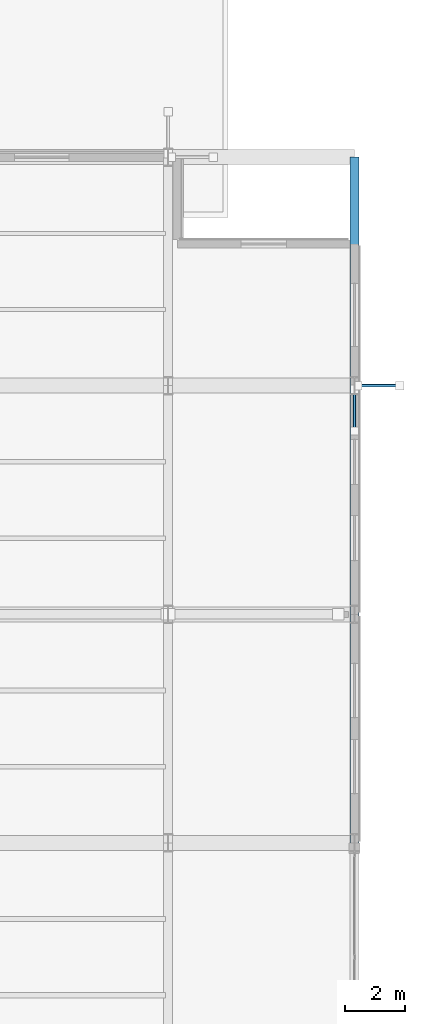
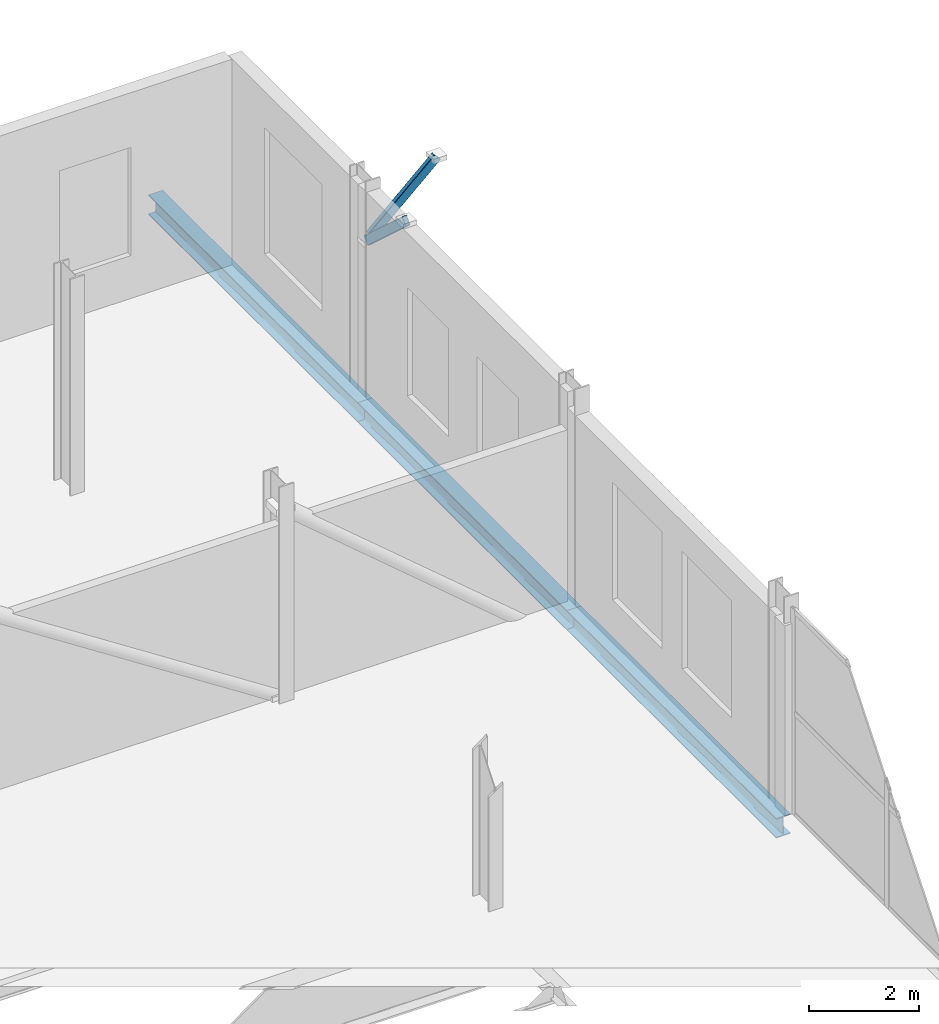
# One storey, part 77 of 120: 3 beams, 2 members.
"""IFC4 building model written with IfcOpenShell, lengths in metres."""

from ifc_helpers import new_model, si_unit, direction, frame, origin, origin_2d, place, context, subcontext, project, spatial, hollow_rectangle, i_section, extrude, material, material_profile, profile_set, type_object, element, save


model = new_model("IFC4")

# Units and contexts
model_context = context("Model", 3, precision=1e-05, world=origin(), true_north=direction((0.0, 1.0)))
body_context = subcontext(model_context, "Body", "Model", "MODEL_VIEW")
ifc_project = project(units=[si_unit("LENGTHUNIT", "METRE"), si_unit("AREAUNIT", "SQUARE_METRE"), si_unit("VOLUMEUNIT", "CUBIC_METRE"), si_unit("PLANEANGLEUNIT", "RADIAN"), si_unit("MASSUNIT", "GRAM", prefix="KILO")], contexts=[model_context])

# Site, building, storey
site_placement = place(None, origin())
site = spatial("IfcSite", under=ifc_project, at=site_placement, CompositionType="ELEMENT")
building_placement = place(site_placement, origin())
building = spatial("IfcBuilding", under=site, at=building_placement, Name="Vekula Escarpment Museum", CompositionType="ELEMENT")
storey_placement = place(building_placement, frame((0.0, 0.0, 13.199951171875)))
storey = spatial("IfcBuildingStorey", under=building, at=storey_placement, Name="L03", CompositionType="ELEMENT", Elevation=13.199951171875)

# Beams
ifc_material_1 = material(Name="Steel S355", Category="steel")
ifc_material_profile_1 = material_profile(ifc_material_1, i_section(OverallWidth=0.300048828125, OverallDepth=0.43994140625, WebThickness=0.011474609375, FlangeThickness=0.02099609375, FilletRadius=0.027099609375, at=origin_2d()), Name="HEA 450")
ifc_profile_set_1 = profile_set([ifc_material_profile_1], Name="Steel S355")
beam_type = type_object("IfcBeamType", Name="BM-SPAN-HEA450", PredefinedType="SPANDREL", material=ifc_profile_set_1)
beam_1_placement = place(storey_placement, frame((198.0, 105.60009765625, -0.5), z_axis=(0.0, 1.0, 0.0), x_axis=(-1.0, 0.0, 0.0)))
element("IfcBeam", 1, at=beam_1_placement, inside=storey, type_object=beam_type, Name="Cumba East Spandrel L03 2381", PredefinedType="SPANDREL", context=body_context, shape_type="SweptSolid", body=[
    extrude(i_section(OverallWidth=0.300048828125, OverallDepth=0.43994140625, WebThickness=0.011474609375, FlangeThickness=0.02099609375, FilletRadius=0.027099609375, at=origin_2d()), origin(), (0.0, 0.0, 1.0), 7.599853515625),
])
beam_2_placement = place(storey_placement, frame((198.0, 113.199951171875, -0.5), z_axis=(0.0, 1.0, 0.0), x_axis=(-1.0, 0.0, 0.0)))
element("IfcBeam", 2, at=beam_2_placement, inside=storey, type_object=beam_type, Name="Cumba East Spandrel L03 2382", PredefinedType="SPANDREL", context=body_context, shape_type="SweptSolid", body=[
    extrude(i_section(OverallWidth=0.300048828125, OverallDepth=0.43994140625, WebThickness=0.011474609375, FlangeThickness=0.02099609375, FilletRadius=0.027099609375, at=origin_2d()), origin(), (0.0, 0.0, 1.0), 7.60009765625),
])
beam_3_placement = place(storey_placement, frame((198.0, 120.800048828125, -0.5), z_axis=(0.0, 1.0, 0.0), x_axis=(-1.0, 0.0, 0.0)))
element("IfcBeam", 3, at=beam_3_placement, inside=storey, type_object=beam_type, Name="Cumba East Spandrel L03 2383", PredefinedType="SPANDREL", context=body_context, shape_type="SweptSolid", body=[
    extrude(i_section(OverallWidth=0.300048828125, OverallDepth=0.43994140625, WebThickness=0.011474609375, FlangeThickness=0.02099609375, FilletRadius=0.027099609375, at=origin_2d()), origin(), (0.0, 0.0, 1.0), 7.599853515625),
])

# Members
ifc_material_2 = material(Name="Steel S355", Category="steel")
ifc_material_profile_2 = material_profile(ifc_material_2, hollow_rectangle(XDim=0.10009765625, YDim=0.199951171875, WallThickness=0.008056640625, InnerFilletRadius=0.008056640625, OuterFilletRadius=0.01611328125, at=origin_2d()), Name="RHS 200x100x8")
ifc_profile_set_2 = profile_set([ifc_material_profile_2], Name="Steel S355")
member_type = type_object("IfcMemberType", Name="MB-SACAK-BRK", PredefinedType="STRUT", material=ifc_profile_set_2)
for number, where, z_axis, x_axis, name in (
    (4, (198.1201171875, 120.800048828125, 3.35009765625), (0.738454378718, 0.0, 0.674303441006), (0.0, 1.0, 0.0), "Ottoman Sacak Eave Bracket L04-0102"),
    (5, (198.0, 120.679931640625, 3.35009765625), (0.0, -0.738454378718, 0.674303441006), (1.0, 0.0, 0.0), "Ottoman Sacak Eave Bracket L04-0103"),
):
    element("IfcMember", number, at=place(storey_placement, frame(where, z_axis=z_axis, x_axis=x_axis)), inside=storey, type_object=member_type, Name=name, PredefinedType="STRUT", context=body_context, shape_type="SweptSolid", body=[
        extrude(hollow_rectangle(XDim=0.10009765625, YDim=0.199951171875, WallThickness=0.008056640625, InnerFilletRadius=0.008056640625, OuterFilletRadius=0.01611328125, at=origin_2d()), origin(), (0.0, 0.0, 1.0), 1.86865234375),
    ])

save(model, "model.ifc")
